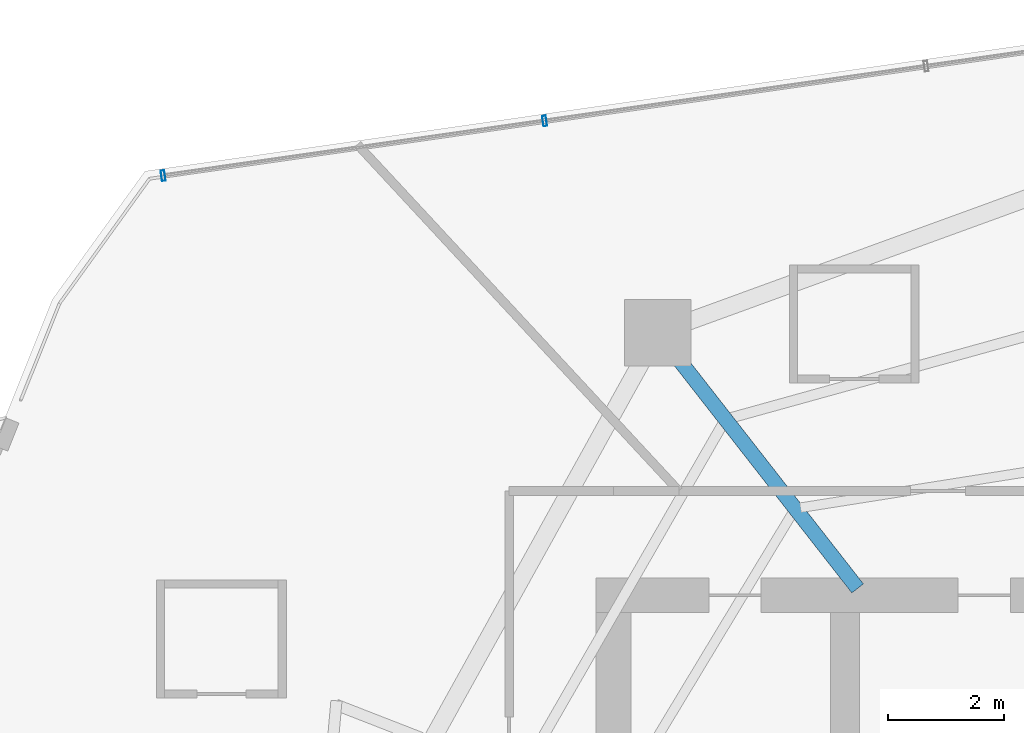
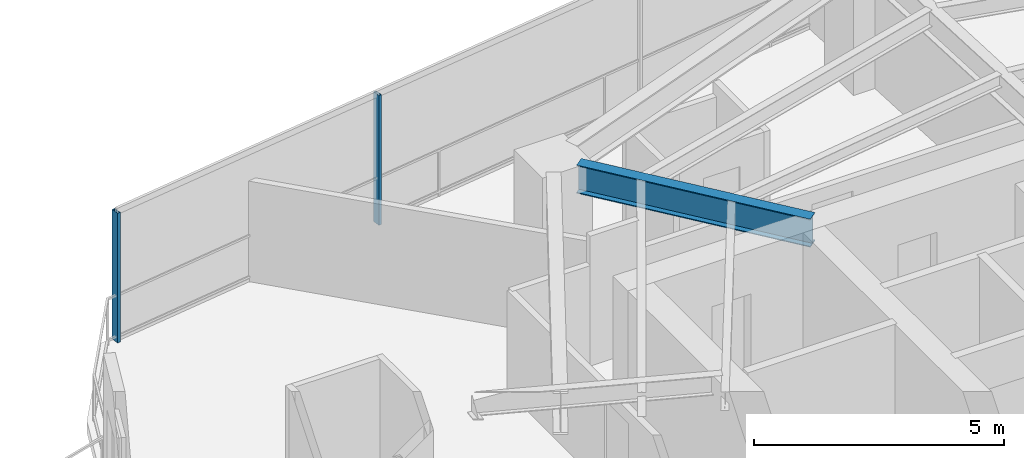
# One storey, part 16 of 29: 2 members, 1 beam, 1 element without a shape of its own.
"""IFC4 building model written with IfcOpenShell, lengths in metres."""

from ifc_helpers import new_model, si_unit, direction, frame, origin, origin_2d, place, context, subcontext, project, spatial, hollow_rectangle, i_section, extrude, material, layer, layer_set, material_profile, profile_set, type_object, element, aggregate, save


model = new_model("IFC4")

# Units and contexts
model_context = context("Model", 3, precision=1e-05, world=origin(), true_north=direction((0.0, 1.0)))
body_context = subcontext(model_context, "Body", "Model", "MODEL_VIEW")
ifc_project = project(units=[si_unit("LENGTHUNIT", "METRE"), si_unit("AREAUNIT", "SQUARE_METRE"), si_unit("VOLUMEUNIT", "CUBIC_METRE"), si_unit("PLANEANGLEUNIT", "RADIAN"), si_unit("MASSUNIT", "GRAM", prefix="KILO")], contexts=[model_context])

# Site, building, storey
site_placement = place(None, origin())
site = spatial("IfcSite", under=ifc_project, at=site_placement, CompositionType="ELEMENT")
building_placement = place(site_placement, origin())
building = spatial("IfcBuilding", under=site, at=building_placement, Name="Qarnah Convention Tower", CompositionType="ELEMENT")
storey_placement = place(building_placement, frame((0.0, 0.0, 97.050048828125)))
storey = spatial("IfcBuildingStorey", under=building, at=storey_placement, Name="L25", CompositionType="ELEMENT", Elevation=97.050048828125)

# Beam
ifc_material_1 = material(Name="Structural steel S355JR", Category="steel")
ifc_material_profile_1 = material_profile(ifc_material_1, i_section(OverallWidth=0.25390625, OverallDepth=0.68798828125, WebThickness=0.012939453125, FlangeThickness=0.02099609375, at=origin_2d()), Name="W690X152")
ifc_profile_set_1 = profile_set([ifc_material_profile_1], Name="Structural steel S355JR")
beam_type = type_object("IfcBeamType", Name="BM-RAD-W690", PredefinedType="BEAM", material=ifc_profile_set_1)
beam_placement = place(storey_placement, frame((31.013916015625, 34.318115234375, 2.825927734375), z_axis=(-0.61565061353, 0.788019239651, 0.0), x_axis=(-0.788019239651, -0.61565061353, 0.0)))
element("IfcBeam", 1, at=beam_placement, inside=storey, type_object=beam_type, Name="L25 beam BM-L25-RAD-04", PredefinedType="BEAM", context=body_context, shape_type="SweptSolid", body=[
    extrude(i_section(OverallWidth=0.25390625, OverallDepth=0.68798828125, WebThickness=0.012939453125, FlangeThickness=0.02099609375, at=origin_2d()), origin(), (0.0, 0.0, 1.0), 5.046630859375),
])

# Curtain wall, members
ifc_material_2 = material(Name="Tempered Low-E dark glass", Category="glass")
ifc_layer = layer(ifc_material_2, 0.169921875)
ifc_layer_set = layer_set([ifc_layer], Name="Tempered Low-E dark glass")
curtain_wall_type = type_object("IfcCurtainWallType", Name="CWS-02", PredefinedType="NOTDEFINED", material=ifc_layer_set)
curtain_wall_placement = place(storey_placement, origin())
curtain_wall = element("IfcCurtainWall", 2, at=curtain_wall_placement, inside=storey, type_object=curtain_wall_type, Name="L25 unitised curtain wall CW-L25-F1", PredefinedType="NOTDEFINED")
ifc_material_3 = material(Name="Black anodised aluminium", Category="aluminium")
ifc_material_profile_2 = material_profile(ifc_material_3, hollow_rectangle(XDim=0.06494140625, YDim=0.179931640625, WallThickness=0.00390625, at=origin_2d()), Name="MUL-65X180")
ifc_profile_set_2 = profile_set([ifc_material_profile_2], Name="Black anodised aluminium")
member_type = type_object("IfcMemberType", Name="MUL-T2", PredefinedType="MULLION", material=ifc_profile_set_2)
member_1_placement = place(storey_placement, frame((19.031005859375, 41.44091796875, 0.0), z_axis=(0.0, 0.0, 1.0), x_axis=(0.989875972225, 0.141935054203, 0.0)))
member_1 = element("IfcMember", 3, at=member_1_placement, type_object=member_type, Name="CW-L25-F1 mullion 1", PredefinedType="MULLION", context=body_context, shape_type="SweptSolid", body=[
    extrude(hollow_rectangle(XDim=0.06494140625, YDim=0.179931640625, WallThickness=0.00390625, at=origin_2d()), origin(), (0.0, 0.0, 1.0), 3.169921875),
])
member_2_placement = place(storey_placement, frame((25.61328125, 42.384765625, 0.0), z_axis=(0.0, 0.0, 1.0), x_axis=(0.989875972225, 0.141935054203, 0.0)))
member_2 = element("IfcMember", 4, at=member_2_placement, type_object=member_type, Name="CW-L25-F1 mullion 2", PredefinedType="MULLION", context=body_context, shape_type="SweptSolid", body=[
    extrude(hollow_rectangle(XDim=0.06494140625, YDim=0.179931640625, WallThickness=0.00390625, at=origin_2d()), origin(), (0.0, 0.0, 1.0), 3.169921875),
])
aggregate(curtain_wall, [member_1, member_2])

save(model, "model.ifc")
